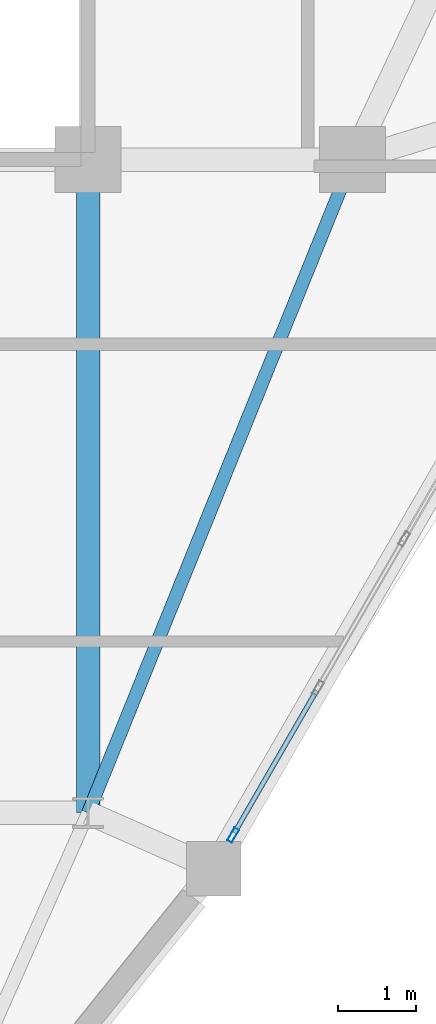
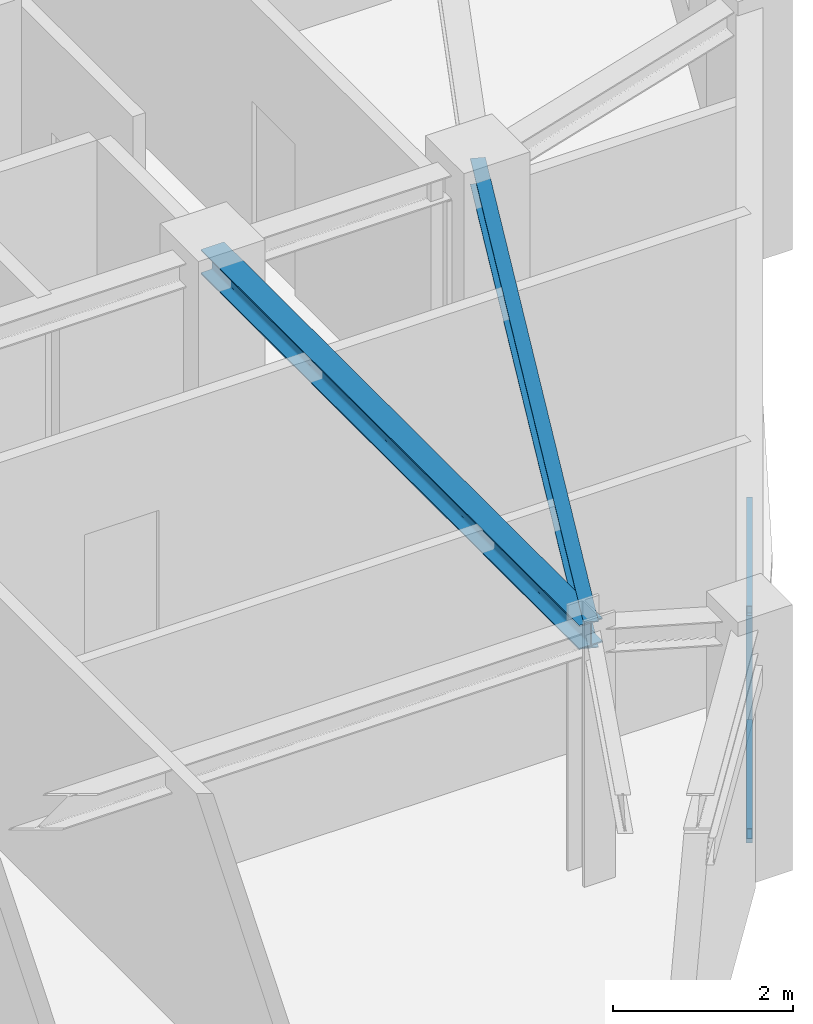
# One storey, part 4 of 15: 3 members, 2 beams, 1 element without a shape of its own.
"""IFC4 building model written with IfcOpenShell, lengths in metres."""

from ifc_helpers import new_model, si_unit, derived_unit, direction, frame, origin, origin_2d, place, context, subcontext, project, spatial, hollow_rectangle, i_section, extrude, source, transform, mapped, material, layer, layer_set, material_profile, profile_set, type_object, element, aggregate, save


model = new_model("IFC4")

# Units and contexts
model_context = context("Model", 3, precision=1e-05, world=origin(), true_north=direction((0.0, 1.0)))
body_context = subcontext(model_context, "Body", "Model", "MODEL_VIEW")
ifc_project = project(units=[si_unit("LENGTHUNIT", "METRE"), si_unit("AREAUNIT", "SQUARE_METRE"), si_unit("VOLUMEUNIT", "CUBIC_METRE"), si_unit("PLANEANGLEUNIT", "RADIAN"), si_unit("MASSUNIT", "GRAM", prefix="KILO"), derived_unit("THERMALTRANSMITTANCEUNIT", [(si_unit("POWERUNIT", "WATT"), 1), (si_unit("LENGTHUNIT", "METRE"), -2), (si_unit("THERMODYNAMICTEMPERATUREUNIT", "KELVIN"), -1)])], contexts=[model_context])

# Site, building, storey
site_placement = place(None, origin())
site = spatial("IfcSite", under=ifc_project, at=site_placement, CompositionType="ELEMENT")
building_placement = place(site_placement, origin())
building = spatial("IfcBuilding", under=site, at=building_placement, Name="Korsvarv Bourse and Concert Hall", CompositionType="ELEMENT")
storey_placement = place(building_placement, frame((0.0, 0.0, 246.60009765625)))
storey = spatial("IfcBuildingStorey", under=building, at=storey_placement, Name="L64", CompositionType="ELEMENT", Elevation=246.60009765625)

# Beams
ifc_material_1 = material(Name="Steel S355", Category="steel")
ifc_material_profile_1 = material_profile(ifc_material_1, i_section(OverallWidth=0.169921875, OverallDepth=0.360107421875, WebThickness=0.008056640625, FlangeThickness=0.0126953125, FilletRadius=0.01806640625, at=origin_2d()), Name="IPE 360")
ifc_profile_set_1 = profile_set([ifc_material_profile_1], Name="Steel S355")
beam_type_1 = type_object("IfcBeamType", Name="BM-IPE360", PredefinedType="JOIST", material=ifc_profile_set_1)
shared_shape_1 = source(origin(), body_context, "Body", "SweptSolid", [
    extrude(i_section(OverallWidth=0.169921875, OverallDepth=0.360107421875, WebThickness=0.008056640625, FlangeThickness=0.0126953125, FilletRadius=0.01806640625, at=origin_2d()), origin(), (0.0, 0.0, 1.0), 9.06201171875),
])
beam_1_placement = place(storey_placement, frame((47.800048828125, 32.39990234375, 3.22998046875), z_axis=(-0.375210394783, -0.926939674222, 0.0), x_axis=(0.926939674222, -0.375210394783, 0.0)))
element("IfcBeam", 1, at=beam_1_placement, inside=storey, type_object=beam_type_1, Name="L64 beam J-06", PredefinedType="JOIST", context=body_context, shape_type="MappedRepresentation", body=[
    mapped(shared_shape_1, transform((0.0, 0.0, 0.0), scale=1.0)),
])
ifc_material_profile_2 = material_profile(ifc_material_1, i_section(OverallWidth=0.300048828125, OverallDepth=0.330078125, WebThickness=0.009521484375, FlangeThickness=0.0166015625, FilletRadius=0.02099609375, at=origin_2d()), Name="HEA 340")
ifc_profile_set_2 = profile_set([ifc_material_profile_2], Name="Steel S355")
beam_type_2 = type_object("IfcBeamType", Name="BM-HEA340", PredefinedType="BEAM", material=ifc_profile_set_2)
shared_shape_2 = source(origin(), body_context, "Body", "SweptSolid", [
    extrude(i_section(OverallWidth=0.300048828125, OverallDepth=0.330078125, WebThickness=0.009521484375, FlangeThickness=0.0166015625, FilletRadius=0.02099609375, at=origin_2d()), origin(), (0.0, 0.0, 1.0), 8.39990234375),
])
beam_2_placement = place(storey_placement, frame((44.39990234375, 24.0, 3.244873046875), z_axis=(0.0, 1.0, 0.0), x_axis=(-1.0, 0.0, 0.0)))
element("IfcBeam", 2, at=beam_2_placement, inside=storey, type_object=beam_type_2, Name="L64 beam B-12", PredefinedType="BEAM", context=body_context, shape_type="MappedRepresentation", body=[
    mapped(shared_shape_2, transform((0.0, 0.0, 0.0), scale=1.0)),
])

# Curtain wall, members
ifc_material_2 = material(Name="Anodised aluminium and triple low-E glazing", Category="glass")
ifc_layer = layer(ifc_material_2, 0.199951171875)
ifc_layer_set = layer_set([ifc_layer], Name="Anodised aluminium and triple low-E glazing")
curtain_wall_type = type_object("IfcCurtainWallType", Name="CW-SYS-3", PredefinedType="NOTDEFINED", material=ifc_layer_set)
curtain_wall_placement = place(storey_placement, origin())
curtain_wall = element("IfcCurtainWall", 3, at=curtain_wall_placement, inside=storey, type_object=curtain_wall_type, Name="L64 CW3 curtain wall CW-L64-F11", PredefinedType="NOTDEFINED")
ifc_material_3 = material(Name="Extruded aluminium EN AW-6063 T66", Category="aluminium")
ifc_material_profile_3 = material_profile(ifc_material_3, hollow_rectangle(XDim=0.06494140625, YDim=0.139892578125, WallThickness=0.00390625, at=origin_2d()), Name="ALU-T 65x140")
ifc_profile_set_3 = profile_set([ifc_material_profile_3], Name="Extruded aluminium EN AW-6063 T66")
member_type_1 = type_object("IfcMemberType", Name="CWT-140", PredefinedType="USERDEFINED", material=ifc_profile_set_3)
shared_shape_3 = source(origin(), body_context, "Body", "SweptSolid", [
    extrude(hollow_rectangle(XDim=0.06494140625, YDim=0.139892578125, WallThickness=0.00390625, at=origin_2d()), origin(), (0.0, 0.0, 1.0), 2.112060546875),
])
member_1_placement = place(storey_placement, frame((46.282470703125, 23.744384765625, 0.032470703125), z_axis=(0.499955938198, 0.866050841383, 0.0), x_axis=(-0.866050841383, 0.499955938198, 0.0)))
member_1 = element("IfcMember", 4, at=member_1_placement, type_object=member_type_1, Name="CW3 transom 1.1", ObjectType="TRANSOM", PredefinedType="USERDEFINED", context=body_context, shape_type="MappedRepresentation", body=[
    mapped(shared_shape_3, transform((0.0, 0.0, 0.0), scale=1.0)),
])
member_2_placement = place(storey_placement, frame((46.282470703125, 23.744384765625, 3.04736328125), z_axis=(0.499955938198, 0.866050841383, 0.0), x_axis=(-0.866050841383, 0.499955938198, 0.0)))
member_2 = element("IfcMember", 5, at=member_2_placement, type_object=member_type_1, Name="CW3 transom 1.2", ObjectType="TRANSOM", PredefinedType="USERDEFINED", context=body_context, shape_type="MappedRepresentation", body=[
    mapped(shared_shape_3, transform((0.0, 0.0, 0.0), scale=1.0)),
])
ifc_material_profile_4 = material_profile(ifc_material_3, hollow_rectangle(XDim=0.070068359375, YDim=0.18994140625, WallThickness=0.0048828125, at=origin_2d()), Name="ALU-M 70x190")
ifc_profile_set_4 = profile_set([ifc_material_profile_4], Name="Extruded aluminium EN AW-6063 T66")
member_type_2 = type_object("IfcMemberType", Name="CWM-190", PredefinedType="MULLION", material=ifc_profile_set_4)
shared_shape_4 = source(origin(), body_context, "Body", "SweptSolid", [
    extrude(hollow_rectangle(XDim=0.070068359375, YDim=0.18994140625, WallThickness=0.0048828125, at=origin_2d()), origin(), (0.0, 0.0, 1.0), 3.079833984375),
])
member_3_placement = place(storey_placement, frame((46.264892578125, 23.714111328125, 0.0), z_axis=(0.0, 0.0, 1.0), x_axis=(-0.866021686907, 0.500006437765, 0.0)))
member_3 = element("IfcMember", 6, at=member_3_placement, type_object=member_type_2, Name="CW3 mullion 1", PredefinedType="MULLION", context=body_context, shape_type="MappedRepresentation", body=[
    mapped(shared_shape_4, transform((0.0, 0.0, 0.0), scale=1.0)),
])
aggregate(curtain_wall, [member_3, member_1, member_2])

save(model, "model.ifc")
